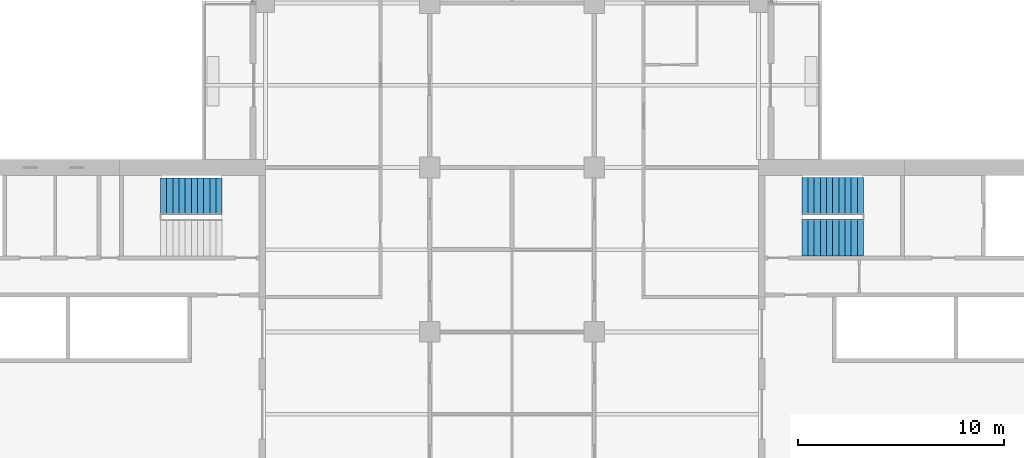
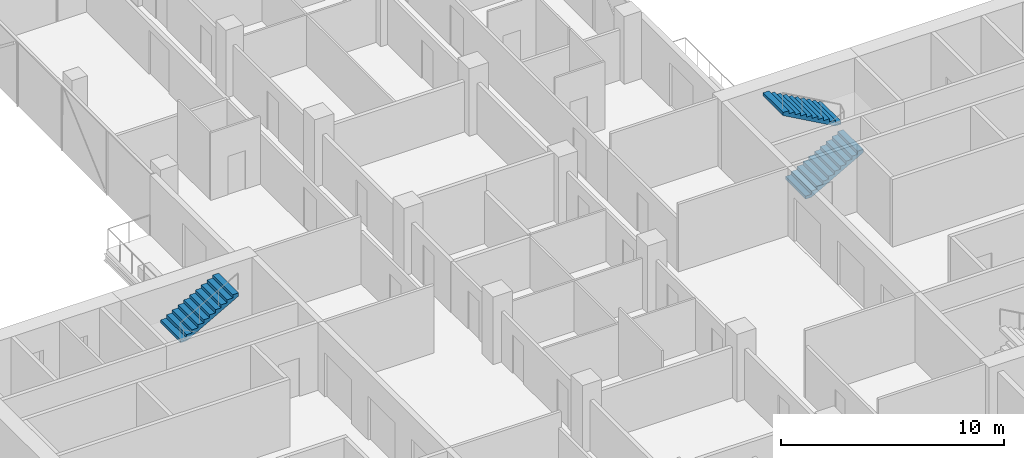
# One storey, part 22 of 27: 3 stair flights, 2 elements without a shape of their own.
"""IFC4 building model written with IfcOpenShell, lengths in metres."""

from ifc_helpers import new_model, si_unit, direction, frame, origin, place, context, subcontext, project, spatial, polyline, outline, extrude, material, type_object, element, aggregate, save


model = new_model("IFC4")

# Units and contexts
model_context = context("Model", 3, precision=1e-05, world=origin(), true_north=direction((0.0, 1.0)))
body_context = subcontext(model_context, "Body", "Model", "MODEL_VIEW")
ifc_project = project(units=[si_unit("LENGTHUNIT", "METRE"), si_unit("AREAUNIT", "SQUARE_METRE"), si_unit("VOLUMEUNIT", "CUBIC_METRE"), si_unit("PLANEANGLEUNIT", "RADIAN"), si_unit("MASSUNIT", "GRAM", prefix="KILO")], contexts=[model_context])

# Site, building, storey
site_placement = place(None, origin())
site = spatial("IfcSite", under=ifc_project, at=site_placement, CompositionType="ELEMENT")
building_placement = place(site_placement, origin())
building = spatial("IfcBuilding", under=site, at=building_placement, Name="Crosswind Convention Tower", CompositionType="ELEMENT")
storey_placement = place(building_placement, frame((0.0, 0.0, 101.60009765625)))
storey = spatial("IfcBuildingStorey", under=building, at=storey_placement, Name="L20", CompositionType="ELEMENT", Elevation=101.60009765625)

# Stair, stair flights
ifc_material = material(Name="Concrete C40/50", Category="concrete")
stair_type = type_object("IfcStairType", Name="Exit stair 1800 wide, 2 flights of 11 risers", PredefinedType="HALF_TURN_STAIR", material=ifc_material)
stair_1_placement = place(storey_placement, origin())
stair_1 = element("IfcStair", 1, at=stair_1_placement, inside=storey, type_object=stair_type, Name="Exit stair ST1 L20", ObjectType="ST5", PredefinedType="HALF_TURN_STAIR")
stair_flight_type = type_object("IfcStairFlightType", Name="Stair flight 1800 wide, 11 risers (SF3)", PredefinedType="STRAIGHT", material=ifc_material)
stair_flight_1_placement = place(storey_placement, frame((139.10009765625, 108.60009765625, 0.0), z_axis=(0.0, 0.0, 1.0), x_axis=(1.0, 0.0, 0.0)))
stair_flight_1 = element("IfcStairFlight", 2, at=stair_flight_1_placement, type_object=stair_flight_type, Name="ST1 flight 1", NumberOfRisers=11, NumberOfTreads=10, PredefinedType="STRAIGHT", RiserHeight=0.168181818, TreadLength=0.3, context=body_context, shape_type="SweptSolid", body=[
    extrude(outline(polyline([(0.0, 0.0), (0.0, 0.168212890625), (0.300048828125, 0.168212890625), (0.300048828125, 0.33642578125), (0.60009765625, 0.33642578125), (0.60009765625, 0.504638671875), (0.89990234375, 0.504638671875), (0.89990234375, 0.672607421875), (1.199951171875, 0.672607421875), (1.199951171875, 0.8408203125), (1.5, 0.8408203125), (1.5, 1.009033203125), (1.800048828125, 1.009033203125), (1.800048828125, 1.17724609375), (2.10009765625, 1.17724609375), (2.10009765625, 1.345458984375), (2.39990234375, 1.345458984375), (2.39990234375, 1.513671875), (2.699951171875, 1.513671875), (2.699951171875, 1.681884765625), (3.0, 1.681884765625), (3.0, 1.85009765625), (3.0, 1.510009765625), (0.306640625, 0.0), (0.0, 0.0)])), frame((0.0, 0.89990234375, 0.0), z_axis=(0.0, -1.0, 0.0), x_axis=(1.0, 0.0, 0.0)), (0.0, 0.0, 1.0), 1.800048828125),
])
stair_flight_2_placement = place(storey_placement, frame((142.10009765625, 110.60009765625, 1.849853515625), z_axis=(0.0, 0.0, 1.0), x_axis=(-1.0, 0.0, 0.0)))
stair_flight_2 = element("IfcStairFlight", 3, at=stair_flight_2_placement, type_object=stair_flight_type, Name="ST1 flight 2", NumberOfRisers=11, NumberOfTreads=10, PredefinedType="STRAIGHT", RiserHeight=0.168181818, TreadLength=0.3, context=body_context, shape_type="SweptSolid", body=[
    extrude(outline(polyline([(0.0, 0.0), (0.0, 0.168212890625), (0.300048828125, 0.168212890625), (0.300048828125, 0.33642578125), (0.60009765625, 0.33642578125), (0.60009765625, 0.504638671875), (0.89990234375, 0.504638671875), (0.89990234375, 0.672607421875), (1.199951171875, 0.672607421875), (1.199951171875, 0.8408203125), (1.5, 0.8408203125), (1.5, 1.009033203125), (1.800048828125, 1.009033203125), (1.800048828125, 1.17724609375), (2.10009765625, 1.17724609375), (2.10009765625, 1.345458984375), (2.39990234375, 1.345458984375), (2.39990234375, 1.513671875), (2.699951171875, 1.513671875), (2.699951171875, 1.681884765625), (3.0, 1.681884765625), (3.0, 1.85009765625), (3.0, 1.510009765625), (0.306640625, 0.0), (0.0, 0.0)])), frame((0.0, 0.89990234375, 0.0), z_axis=(0.0, -1.0, 0.0), x_axis=(1.0, 0.0, 0.0)), (0.0, 0.0, 1.0), 1.800048828125),
])
aggregate(stair_1, [stair_flight_1, stair_flight_2])

# Stair, stair flight
stair_2_placement = place(storey_placement, origin())
stair_2 = element("IfcStair", 4, at=stair_2_placement, inside=storey, type_object=stair_type, Name="Exit stair ST4 L20", ObjectType="ST5", PredefinedType="HALF_TURN_STAIR")
stair_flight_3_placement = place(storey_placement, frame((107.89990234375, 110.60009765625, 1.849853515625), z_axis=(0.0, 0.0, 1.0), x_axis=(1.0, 0.0, 0.0)))
stair_flight_3 = element("IfcStairFlight", 5, at=stair_flight_3_placement, type_object=stair_flight_type, Name="ST4 flight 2", NumberOfRisers=11, NumberOfTreads=10, PredefinedType="STRAIGHT", RiserHeight=0.168181818, TreadLength=0.3, context=body_context, shape_type="SweptSolid", body=[
    extrude(outline(polyline([(0.0, 0.0), (0.0, 0.168212890625), (0.300048828125, 0.168212890625), (0.300048828125, 0.33642578125), (0.60009765625, 0.33642578125), (0.60009765625, 0.504638671875), (0.89990234375, 0.504638671875), (0.89990234375, 0.672607421875), (1.199951171875, 0.672607421875), (1.199951171875, 0.8408203125), (1.5, 0.8408203125), (1.5, 1.009033203125), (1.800048828125, 1.009033203125), (1.800048828125, 1.17724609375), (2.10009765625, 1.17724609375), (2.10009765625, 1.345458984375), (2.39990234375, 1.345458984375), (2.39990234375, 1.513671875), (2.699951171875, 1.513671875), (2.699951171875, 1.681884765625), (3.0, 1.681884765625), (3.0, 1.85009765625), (3.0, 1.510009765625), (0.306640625, 0.0), (0.0, 0.0)])), frame((0.0, 0.89990234375, 0.0), z_axis=(0.0, -1.0, 0.0), x_axis=(1.0, 0.0, 0.0)), (0.0, 0.0, 1.0), 1.800048828125),
])
aggregate(stair_2, [stair_flight_3])

save(model, "model.ifc")
